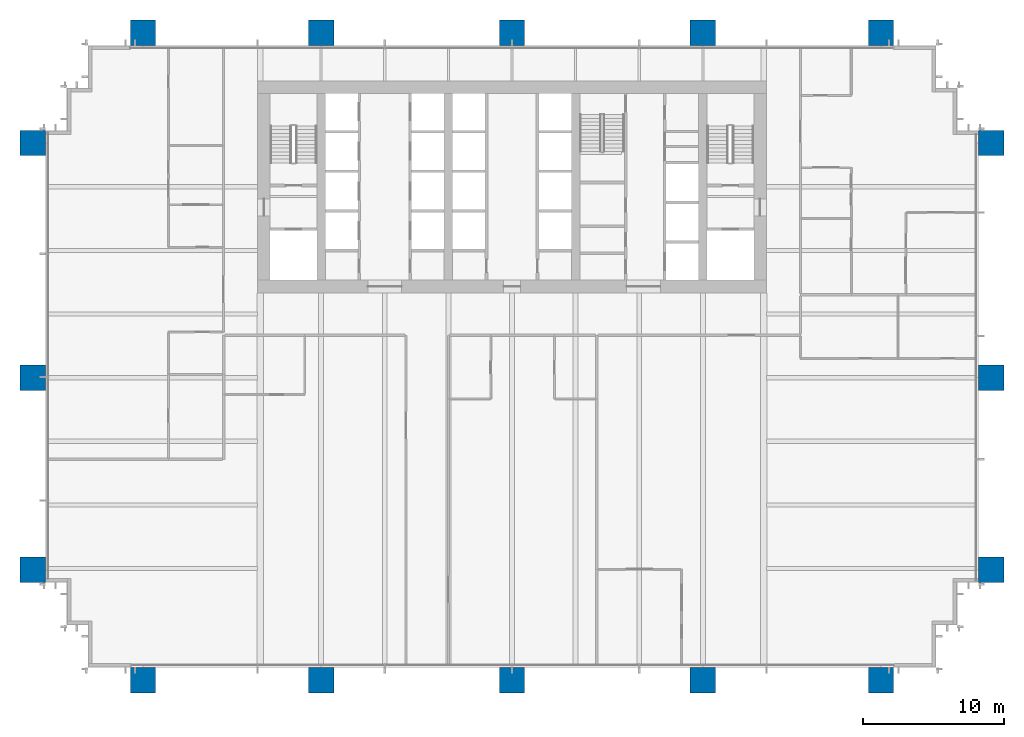
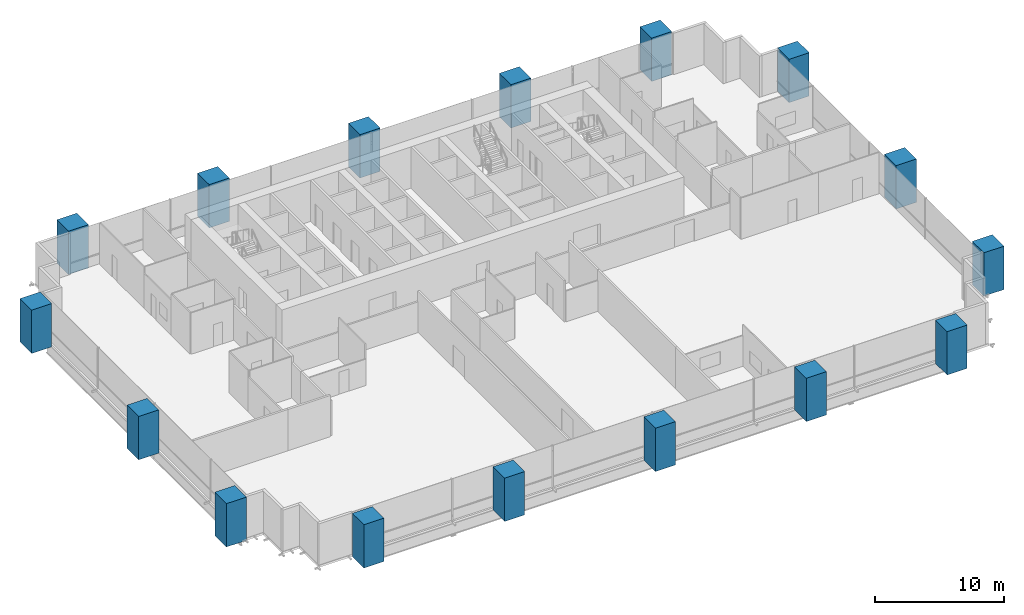
# One storey, part 1 of 17: 16 columns.
"""IFC4 building model written with IfcOpenShell, lengths in metres."""

import ifcopenshell
import ifcopenshell.guid

model = None  # the IFC model being written
_history = None  # IfcOwnerHistory: only IFC2X3 demands one
_inside = {}  # id of a spatial element -> (the spatial element, [elements in it])
_under = {}  # id of a project, library or spatial element -> (it, [spatial elements below it])
_declared = {}  # id of a project -> (the project, [libraries it declares])
_typed = {}  # id of a type object -> (the type object, [elements of that type])
_made_of = {}  # id of a material, layer set ... -> (it, [elements and type objects made of it])


def new_model(schema):
    """Start an empty IFC model of exactly this schema.

    Asked for "IFC4X3", IfcOpenShell would pick the latest addendum, in which some entities
    have other attributes; the version numbers below select the first issue.
    IFC2X3 requires an IfcOwnerHistory on every rooted entity: one is made here for all.
    """
    global model, _history
    if schema == "IFC4X3":
        model = ifcopenshell.file(schema_version=(4, 3, 0, 0))
    else:
        model = ifcopenshell.file(schema=schema)
    _inside.clear()
    _under.clear()
    _declared.clear()
    _typed.clear()
    _made_of.clear()
    _history = None
    if model.schema == "IFC2X3":
        org = make("IfcOrganization", Name="unknown")
        user = make(
            "IfcPersonAndOrganization",
            ThePerson=make("IfcPerson", FamilyName="unknown"),
            TheOrganization=org,
        )
        app = make(
            "IfcApplication",
            ApplicationDeveloper=org,
            Version="unknown",
            ApplicationFullName="unknown",
            ApplicationIdentifier="unknown",
        )
        _history = make(
            "IfcOwnerHistory",
            OwningUser=user,
            OwningApplication=app,
            ChangeAction="ADDED",
            CreationDate=0,
        )
    return model


def make(cls, **values):
    """One entity of the class cls with the attributes given. An attribute that is None is left unset."""
    return model.create_entity(
        cls, **{name: value for name, value in values.items() if value is not None}
    )


def rooted(cls, **values):
    """An entity with a GlobalId (a new one), such as an element, a storey or a relation."""
    return make(cls, GlobalId=ifcopenshell.guid.new(), OwnerHistory=_history, **values)


def si_unit(unit_type, name, prefix=None):
    """IfcSIUnit, for example si_unit("LENGTHUNIT", "METRE", prefix="MILLI")."""
    return make("IfcSIUnit", UnitType=unit_type, Prefix=prefix, Name=name)


def assignment(units):
    """IfcUnitAssignment: the units of a project."""
    return None if units is None else make("IfcUnitAssignment", Units=units)


def point(xyz):
    """IfcCartesianPoint."""
    return None if xyz is None else make("IfcCartesianPoint", Coordinates=xyz)


def direction(xyz):
    """IfcDirection."""
    return None if xyz is None else make("IfcDirection", DirectionRatios=xyz)


def frame(location, z_axis=None, x_axis=None):
    """IfcAxis2Placement3D, a coordinate frame: its origin and axes. An axis left out is left unset."""
    return make(
        "IfcAxis2Placement3D",
        Location=point(location),
        Axis=direction(z_axis),
        RefDirection=direction(x_axis),
    )


def frame_2d(location, x_axis=None):
    """IfcAxis2Placement2D, a coordinate frame in the plane: its origin and x axis."""
    return make(
        "IfcAxis2Placement2D", Location=point(location), RefDirection=direction(x_axis)
    )


def origin():
    """The frame at (0, 0, 0) with its axes left unset."""
    return frame((0.0, 0.0, 0.0))


def origin_2d():
    """The frame at (0, 0) in the plane with its x axis left unset."""
    return frame_2d((0.0, 0.0))


def place(relative_to, where):
    """IfcLocalPlacement: puts the frame where relative to a parent placement (None: the world)."""
    return make(
        "IfcLocalPlacement", PlacementRelTo=relative_to, RelativePlacement=where
    )


def context(
    kind, dimensions, precision=None, world=None, true_north=None, identifier=None
):
    """IfcGeometricRepresentationContext, for example the 3D "Model" context."""
    return make(
        "IfcGeometricRepresentationContext",
        ContextIdentifier=identifier,
        ContextType=kind,
        CoordinateSpaceDimension=dimensions,
        Precision=precision,
        WorldCoordinateSystem=world,
        TrueNorth=true_north,
    )


def subcontext(parent, identifier, kind, view, scale=None):
    """IfcGeometricRepresentationSubContext, for example "Body" below "Model"."""
    return make(
        "IfcGeometricRepresentationSubContext",
        ContextIdentifier=identifier,
        ContextType=kind,
        ParentContext=parent,
        TargetScale=scale,
        TargetView=view,
    )


def project(units=None, contexts=None):
    """IfcProject with its units and contexts."""
    return rooted(
        "IfcProject",
        Name="project",
        RepresentationContexts=contexts,
        UnitsInContext=assignment(units),
    )


def spatial(cls, under=None, at=None, **own):
    """A site, building, storey or space (cls), placed at a placement, below another one or the project."""
    s = rooted(cls, ObjectPlacement=at, **own)
    if under is not None:
        _under.setdefault(under.id(), (under, []))[1].append(s)
    return s


def profile(cls, at=None, kind="AREA", **sizes):
    """A parametric profile (cls). Its sizes go by their IFC names, for example OverallWidth=200.0."""
    return make(cls, ProfileType=kind, Position=at, **sizes)


def rectangle(**sizes):
    """IfcRectangleProfileDef."""
    return profile("IfcRectangleProfileDef", **sizes)


def extrude(swept, where, along, depth):
    """IfcExtrudedAreaSolid: the profile swept, set in the frame where, extruded along a direction by depth."""
    return make(
        "IfcExtrudedAreaSolid",
        SweptArea=swept,
        Position=where,
        ExtrudedDirection=direction(along),
        Depth=depth,
    )


def shape(context_of_items, identifier, shape_type, items):
    """IfcShapeRepresentation: the items that make up one representation, for example the "Body"."""
    return make(
        "IfcShapeRepresentation",
        ContextOfItems=context_of_items,
        RepresentationIdentifier=identifier,
        RepresentationType=shape_type,
        Items=items,
    )


def material(Name=None, Category=None):
    """IfcMaterial."""
    return make("IfcMaterial", Name=Name, Category=Category)


def material_profile(
    of_material, cross_section, Name=None, Category=None, Priority=None
):
    """IfcMaterialProfile: a cross section and its material."""
    return make(
        "IfcMaterialProfile",
        Name=Name,
        Material=of_material,
        Profile=cross_section,
        Priority=Priority,
        Category=Category,
    )


def profile_set(profiles, Name=None, composite=None):
    """IfcMaterialProfileSet."""
    return make(
        "IfcMaterialProfileSet",
        Name=Name,
        MaterialProfiles=profiles,
        CompositeProfile=composite,
    )


def made_of(thing, what):
    """Note that an element or type object is made of a material, layer set ...; save() writes the relation."""
    if what is not None:
        _made_of.setdefault(what.id(), (what, []))[1].append(thing)
    return thing


def type_object(cls, material=None, **own):
    """A type object (cls), such as IfcWallType, which elements share."""
    return made_of(rooted(cls, **own), material)


def element(
    cls,
    number,
    at=None,
    inside=None,
    cuts=None,
    type_object=None,
    material=None,
    context=None,
    identifier="Body",
    shape_type=None,
    held_by="IfcProductDefinitionShape",
    body=None,
    shapes=None,
    **own,
):
    """One element of the class cls, such as IfcWall. Its Tag is "e" and its number.

    at: its placement. inside: the storey or other place that contains it. cuts: it is an
    opening in that element (IfcRelVoidsElement). A single representation is given by context,
    identifier, shape_type and body (its items); several are given by shapes. held_by: the class
    of the entity that holds the representations. save() writes the other relations.
    """
    e = rooted(cls, Tag="e%d" % number, ObjectPlacement=at, **own)
    if body is not None:
        shapes = [shape(context, identifier, shape_type, body)]
    if shapes is not None:
        e.Representation = make(held_by, Representations=shapes)
    if inside is not None:
        _inside.setdefault(inside.id(), (inside, []))[1].append(e)
    if cuts is not None:
        rooted(
            "IfcRelVoidsElement", RelatingBuildingElement=cuts, RelatedOpeningElement=e
        )
    if type_object is not None:
        _typed.setdefault(type_object.id(), (type_object, []))[1].append(e)
    return made_of(e, material)


def aggregate(whole, parts):
    """IfcRelAggregates: a whole, such as a stair, and the parts it consists of."""
    return rooted("IfcRelAggregates", RelatingObject=whole, RelatedObjects=parts)


def save(model, path):
    """Write the relations noted so far, then the file.

    IfcRelAggregates (storeys below a building ...), IfcRelContainedInSpatialStructure (elements
    in a storey), IfcRelDefinesByType, IfcRelAssociatesMaterial and IfcRelDeclares: one each for
    every whole, place, type object, material and project.
    """
    for whole, parts in _under.values():
        aggregate(whole, parts)
    for where, things in _inside.values():
        rooted(
            "IfcRelContainedInSpatialStructure",
            RelatedElements=things,
            RelatingStructure=where,
        )
    for kind, things in _typed.values():
        rooted("IfcRelDefinesByType", RelatedObjects=things, RelatingType=kind)
    for what, things in _made_of.values():
        rooted("IfcRelAssociatesMaterial", RelatedObjects=things, RelatingMaterial=what)
    for by, libraries in _declared.values():
        rooted("IfcRelDeclares", RelatingContext=by, RelatedDefinitions=libraries)
    model.write(path)


model = new_model("IFC4")

# Units and contexts
model_context = context("Model", 3, precision=1e-05, world=origin(), true_north=direction((0.0, 1.0)))
body_context = subcontext(model_context, "Body", "Model", "MODEL_VIEW")
ifc_project = project(units=[si_unit("LENGTHUNIT", "METRE"), si_unit("AREAUNIT", "SQUARE_METRE"), si_unit("VOLUMEUNIT", "CUBIC_METRE"), si_unit("PLANEANGLEUNIT", "RADIAN"), si_unit("MASSUNIT", "GRAM", prefix="KILO")], contexts=[model_context])

# Site, building, storey
site_placement = place(None, origin())
site = spatial("IfcSite", under=ifc_project, at=site_placement, CompositionType="ELEMENT")
building_placement = place(site_placement, origin())
building = spatial("IfcBuilding", under=site, at=building_placement, Name="Rattan Terrace Tower", CompositionType="ELEMENT")
storey_placement = place(building_placement, frame((0.0, 0.0, 48.800048828125)))
storey = spatial("IfcBuildingStorey", under=building, at=storey_placement, Name="L10", CompositionType="ELEMENT", Elevation=48.800048828125)

# Columns
ifc_material = material(Name="Concrete C60/75", Category="concrete")
ifc_material_profile = material_profile(ifc_material, rectangle(XDim=1.800048828125, YDim=1.800048828125, at=origin_2d()), Name="CFT 1800x1800")
ifc_profile_set = profile_set([ifc_material_profile], Name="Concrete C60/75")
column_type = type_object("IfcColumnType", Name="Frame exoskeleton column CFT 1800x1800", PredefinedType="COLUMN", material=ifc_profile_set)
for number, where, z_axis, x_axis, name in (
    (1, (-26.10009765625, -34.89990234375, -0.199951171875), (0.0, 0.0, 1.0), (1.0, 0.0, 0.0), "exo-L10-001"),
    (2, (-13.5, -34.89990234375, -0.199951171875), (0.0, 0.0, 1.0), (1.0, 0.0, 0.0), "exo-L10-002"),
    (3, (0.0, -34.89990234375, -0.199951171875), (0.0, 0.0, 1.0), (1.0, 0.0, 0.0), "exo-L10-003"),
    (4, (13.5, -34.89990234375, -0.199951171875), (0.0, 0.0, 1.0), (1.0, 0.0, 0.0), "exo-L10-004"),
    (5, (26.10009765625, -34.89990234375, -0.199951171875), (0.0, 0.0, 1.0), (1.0, 0.0, 0.0), "exo-L10-005"),
    (6, (-33.89990234375, -27.10009765625, -0.199951171875), (0.0, 0.0, 1.0), (0.0, 1.0, 0.0), "exo-L10-006"),
    (7, (33.89990234375, -27.10009765625, -0.199951171875), (0.0, 0.0, 1.0), (0.0, 1.0, 0.0), "exo-L10-007"),
    (8, (-33.89990234375, -13.5, -0.199951171875), (0.0, 0.0, 1.0), (0.0, 1.0, 0.0), "exo-L10-008"),
    (9, (33.89990234375, -13.5, -0.199951171875), (0.0, 0.0, 1.0), (0.0, 1.0, 0.0), "exo-L10-009"),
    (10, (-33.89990234375, 3.10009765625, -0.199951171875), (0.0, 0.0, 1.0), (0.0, 1.0, 0.0), "exo-L10-010"),
    (11, (33.89990234375, 3.10009765625, -0.199951171875), (0.0, 0.0, 1.0), (0.0, 1.0, 0.0), "exo-L10-011"),
    (12, (-26.10009765625, 10.89990234375, -0.199951171875), (0.0, 0.0, 1.0), (1.0, 0.0, 0.0), "exo-L10-012"),
    (13, (-13.5, 10.89990234375, -0.199951171875), (0.0, 0.0, 1.0), (1.0, 0.0, 0.0), "exo-L10-013"),
    (14, (0.0, 10.89990234375, -0.199951171875), (0.0, 0.0, 1.0), (1.0, 0.0, 0.0), "exo-L10-014"),
    (15, (13.5, 10.89990234375, -0.199951171875), (0.0, 0.0, 1.0), (1.0, 0.0, 0.0), "exo-L10-015"),
    (16, (26.10009765625, 10.89990234375, -0.199951171875), (0.0, 0.0, 1.0), (1.0, 0.0, 0.0), "exo-L10-016"),
):
    element("IfcColumn", number, at=place(storey_placement, frame(where, z_axis=z_axis, x_axis=x_axis)), inside=storey, type_object=column_type, Name=name, PredefinedType="COLUMN", context=body_context, shape_type="SweptSolid", body=[
        extrude(rectangle(XDim=1.800048828125, YDim=1.800048828125, at=origin_2d()), origin(), (0.0, 0.0, 1.0), 4.099853515625),
    ])

save(model, "model.ifc")
